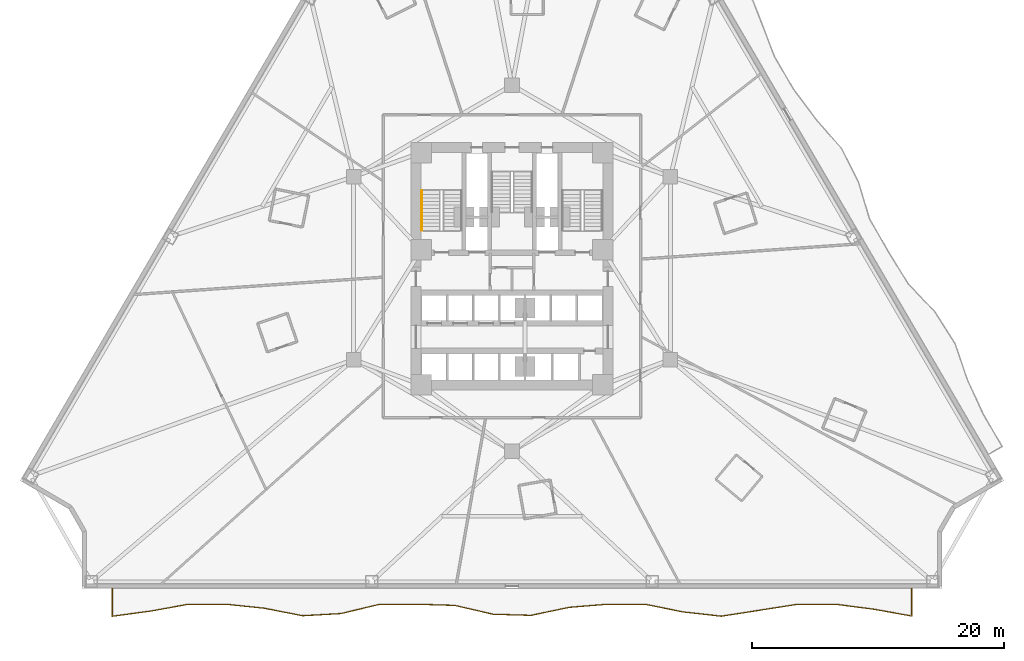
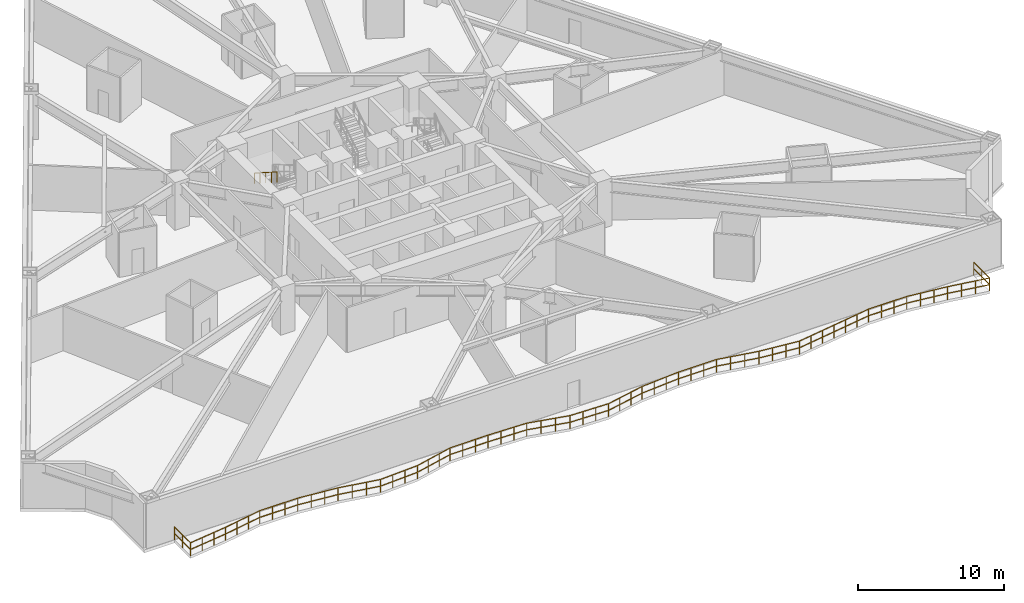
# One storey, part 8 of 10: 2 railings.
"""IFC4 building model written with IfcOpenShell, lengths in metres."""

from ifc_helpers import new_model, si_unit, direction, frame, origin, origin_2d, place, context, subcontext, project, spatial, rectangle, extrude, material, type_object, element, save


model = new_model("IFC4")

# Units and contexts
model_context = context("Model", 3, precision=1e-05, world=origin(), true_north=direction((0.0, 1.0)))
body_context = subcontext(model_context, "Body", "Model", "MODEL_VIEW")
ifc_project = project(units=[si_unit("LENGTHUNIT", "METRE"), si_unit("AREAUNIT", "SQUARE_METRE"), si_unit("VOLUMEUNIT", "CUBIC_METRE"), si_unit("PLANEANGLEUNIT", "RADIAN"), si_unit("MASSUNIT", "GRAM", prefix="KILO")], contexts=[model_context])

# Site, building, storey
site_placement = place(None, origin())
site = spatial("IfcSite", under=ifc_project, at=site_placement, CompositionType="ELEMENT")
building_placement = place(site_placement, origin())
building = spatial("IfcBuilding", under=site, at=building_placement, Name="Apsidion Concourse Tower", CompositionType="ELEMENT")
storey_placement = place(building_placement, frame((0.0, 0.0, 38.39990234375)))
storey = spatial("IfcBuildingStorey", under=building, at=storey_placement, Name="L07", CompositionType="ELEMENT", Elevation=38.39990234375)

# Railings
ifc_material = material(Name="Brushed stainless steel 316", Category="steel")
railing_type_1 = type_object("IfcRailingType", Name="RL-BAL-1120", PredefinedType="BALUSTRADE", material=ifc_material)
railing_1_placement = place(storey_placement, frame((31.68798828125, -25.39990234375, 0.0)))
element("IfcRailing", 1, at=railing_1_placement, inside=storey, type_object=railing_type_1, Name="L07 Face 2 Rippling Balcony Balustrade", PredefinedType="BALUSTRADE", context=body_context, shape_type="SweptSolid", body=[
    extrude(rectangle(XDim=0.048095703125, YDim=0.048095703125, at=origin_2d()), frame((0.0, 0.0, 1.09619140625), z_axis=(0.0, -1.0, 0.0), x_axis=(1.0, 0.0, 0.0)), (0.0, 0.0, 1.0), 2.1806640625),
    extrude(rectangle(XDim=0.048095703125, YDim=0.048095703125, at=origin_2d()), frame((0.0, 0.0, 0.5361328125), z_axis=(0.0, -1.0, 0.0), x_axis=(1.0, 0.0, 0.0)), (0.0, 0.0, 1.0), 2.1806640625),
    extrude(rectangle(XDim=0.048095703125, YDim=0.048095703125, at=origin_2d()), frame((0.0, -2.1806640625, 1.09619140625), z_axis=(-0.984404433594, 0.17592018395, 0.0), x_axis=(-0.17592018395, -0.984404433594, 0.0)), (0.0, 0.0, 1.0), 3.065673828125),
    extrude(rectangle(XDim=0.048095703125, YDim=0.048095703125, at=origin_2d()), frame((0.0, -2.1806640625, 0.5361328125), z_axis=(-0.984404433594, 0.17592018395, 0.0), x_axis=(-0.17592018395, -0.984404433594, 0.0)), (0.0, 0.0, 1.0), 3.065673828125),
    extrude(rectangle(XDim=0.048095703125, YDim=0.048095703125, at=origin_2d()), frame((-3.017822265625, -1.641357421875, 1.09619140625), z_axis=(-0.991695876065, 0.128605168622, 0.0), x_axis=(-0.128605168622, -0.991695876065, 0.0)), (0.0, 0.0, 1.0), 3.043212890625),
    extrude(rectangle(XDim=0.048095703125, YDim=0.048095703125, at=origin_2d()), frame((-3.017822265625, -1.641357421875, 0.5361328125), z_axis=(-0.991695876065, 0.128605168622, 0.0), x_axis=(-0.128605168622, -0.991695876065, 0.0)), (0.0, 0.0, 1.0), 3.043212890625),
    extrude(rectangle(XDim=0.048095703125, YDim=0.048095703125, at=origin_2d()), frame((-6.03564453125, -1.25, 1.09619140625), z_axis=(-1.0, 0.0, 0.0), x_axis=(0.0, -1.0, 0.0)), (0.0, 0.0, 1.0), 3.017822265625),
    extrude(rectangle(XDim=0.048095703125, YDim=0.048095703125, at=origin_2d()), frame((-6.03564453125, -1.25, 0.5361328125), z_axis=(-1.0, 0.0, 0.0), x_axis=(0.0, -1.0, 0.0)), (0.0, 0.0, 1.0), 3.017822265625),
    extrude(rectangle(XDim=0.048095703125, YDim=0.048095703125, at=origin_2d()), frame((-9.053466796875, -1.25, 1.09619140625), z_axis=(-0.987823146591, -0.155580946968, 0.0), x_axis=(0.155580946968, -0.987823146591, 0.0)), (0.0, 0.0, 1.0), 3.05517578125),
    extrude(rectangle(XDim=0.048095703125, YDim=0.048095703125, at=origin_2d()), frame((-9.053466796875, -1.25, 0.5361328125), z_axis=(-0.987823146591, -0.155580946968, 0.0), x_axis=(0.155580946968, -0.987823146591, 0.0)), (0.0, 0.0, 1.0), 3.05517578125),
    extrude(rectangle(XDim=0.048095703125, YDim=0.048095703125, at=origin_2d()), frame((-12.071533203125, -1.725341796875, 1.09619140625), z_axis=(-0.988055424864, -0.154098920817, 0.0), x_axis=(0.154098920817, -0.988055424864, 0.0)), (0.0, 0.0, 1.0), 3.054443359375),
    extrude(rectangle(XDim=0.048095703125, YDim=0.048095703125, at=origin_2d()), frame((-12.071533203125, -1.725341796875, 0.5361328125), z_axis=(-0.988055424864, -0.154098920817, 0.0), x_axis=(0.154098920817, -0.988055424864, 0.0)), (0.0, 0.0, 1.0), 3.054443359375),
    extrude(rectangle(XDim=0.048095703125, YDim=0.048095703125, at=origin_2d()), frame((-15.089599609375, -2.196044921875, 1.09619140625), z_axis=(-0.993878830987, 0.110475650334, 0.0), x_axis=(-0.110475650334, -0.993878830987, 0.0)), (0.0, 0.0, 1.0), 3.036376953125),
    extrude(rectangle(XDim=0.048095703125, YDim=0.048095703125, at=origin_2d()), frame((-15.089599609375, -2.196044921875, 0.5361328125), z_axis=(-0.993878830987, 0.110475650334, 0.0), x_axis=(-0.110475650334, -0.993878830987, 0.0)), (0.0, 0.0, 1.0), 3.036376953125),
    extrude(rectangle(XDim=0.048095703125, YDim=0.048095703125, at=origin_2d()), frame((-18.107421875, -1.860595703125, 1.09619140625), z_axis=(-0.980139056709, 0.198311445743, 0.0), x_axis=(-0.198311445743, -0.980139056709, 0.0)), (0.0, 0.0, 1.0), 3.078857421875),
    extrude(rectangle(XDim=0.048095703125, YDim=0.048095703125, at=origin_2d()), frame((-18.107421875, -1.860595703125, 0.5361328125), z_axis=(-0.980139056709, 0.198311445743, 0.0), x_axis=(-0.198311445743, -0.980139056709, 0.0)), (0.0, 0.0, 1.0), 3.078857421875),
    extrude(rectangle(XDim=0.048095703125, YDim=0.048095703125, at=origin_2d()), frame((-21.125244140625, -1.25, 1.09619140625), z_axis=(-1.0, 0.0, 0.0), x_axis=(0.0, -1.0, 0.0)), (0.0, 0.0, 1.0), 3.017822265625),
    extrude(rectangle(XDim=0.048095703125, YDim=0.048095703125, at=origin_2d()), frame((-21.125244140625, -1.25, 0.5361328125), z_axis=(-1.0, 0.0, 0.0), x_axis=(0.0, -1.0, 0.0)), (0.0, 0.0, 1.0), 3.017822265625),
    extrude(rectangle(XDim=0.048095703125, YDim=0.048095703125, at=origin_2d()), frame((-24.14306640625, -1.25, 1.09619140625), z_axis=(-0.996711647543, -0.081030189757, 0.0), x_axis=(0.081030189757, -0.996711647543, 0.0)), (0.0, 0.0, 1.0), 3.028076171875),
    extrude(rectangle(XDim=0.048095703125, YDim=0.048095703125, at=origin_2d()), frame((-24.14306640625, -1.25, 0.5361328125), z_axis=(-0.996711647543, -0.081030189757, 0.0), x_axis=(0.081030189757, -0.996711647543, 0.0)), (0.0, 0.0, 1.0), 3.028076171875),
    extrude(rectangle(XDim=0.048095703125, YDim=0.048095703125, at=origin_2d()), frame((-27.1611328125, -1.495361328125, 1.09619140625), z_axis=(-0.978618610166, -0.205683290123, 0.0), x_axis=(0.205683290123, -0.978618610166, 0.0)), (0.0, 0.0, 1.0), 3.083740234375),
    extrude(rectangle(XDim=0.048095703125, YDim=0.048095703125, at=origin_2d()), frame((-27.1611328125, -1.495361328125, 0.5361328125), z_axis=(-0.978618610166, -0.205683290123, 0.0), x_axis=(0.205683290123, -0.978618610166, 0.0)), (0.0, 0.0, 1.0), 3.083740234375),
    extrude(rectangle(XDim=0.048095703125, YDim=0.048095703125, at=origin_2d()), frame((-30.178955078125, -2.129638671875, 1.09619140625), z_axis=(-0.999569151056, 0.029351529027, 0.0), x_axis=(-0.029351529027, -0.999569151056, 0.0)), (0.0, 0.0, 1.0), 3.019287109375),
    extrude(rectangle(XDim=0.048095703125, YDim=0.048095703125, at=origin_2d()), frame((-30.178955078125, -2.129638671875, 0.5361328125), z_axis=(-0.999569151056, 0.029351529027, 0.0), x_axis=(-0.029351529027, -0.999569151056, 0.0)), (0.0, 0.0, 1.0), 3.019287109375),
    extrude(rectangle(XDim=0.048095703125, YDim=0.048095703125, at=origin_2d()), frame((-33.197021484375, -2.041015625, 1.09619140625), z_axis=(-0.974054098549, 0.226315295772, 0.0), x_axis=(-0.226315295772, -0.974054098549, 0.0)), (0.0, 0.0, 1.0), 3.09814453125),
    extrude(rectangle(XDim=0.048095703125, YDim=0.048095703125, at=origin_2d()), frame((-33.197021484375, -2.041015625, 0.5361328125), z_axis=(-0.974054098549, 0.226315295772, 0.0), x_axis=(-0.226315295772, -0.974054098549, 0.0)), (0.0, 0.0, 1.0), 3.09814453125),
    extrude(rectangle(XDim=0.048095703125, YDim=0.048095703125, at=origin_2d()), frame((-36.21484375, -1.33984375, 1.09619140625), z_axis=(-0.999557208133, 0.029755464536, 0.0), x_axis=(-0.029755464536, -0.999557208133, 0.0)), (0.0, 0.0, 1.0), 3.019287109375),
    extrude(rectangle(XDim=0.048095703125, YDim=0.048095703125, at=origin_2d()), frame((-36.21484375, -1.33984375, 0.5361328125), z_axis=(-0.999557208133, 0.029755464536, 0.0), x_axis=(-0.029755464536, -0.999557208133, 0.0)), (0.0, 0.0, 1.0), 3.019287109375),
    extrude(rectangle(XDim=0.048095703125, YDim=0.048095703125, at=origin_2d()), frame((-39.23291015625, -1.25, 1.09619140625), z_axis=(-0.999972902581, -0.007361664439, 0.0), x_axis=(0.007361664439, -0.999972902581, 0.0)), (0.0, 0.0, 1.0), 3.017822265625),
    extrude(rectangle(XDim=0.048095703125, YDim=0.048095703125, at=origin_2d()), frame((-39.23291015625, -1.25, 0.5361328125), z_axis=(-0.999972902581, -0.007361664439, 0.0), x_axis=(0.007361664439, -0.999972902581, 0.0)), (0.0, 0.0, 1.0), 3.017822265625),
    extrude(rectangle(XDim=0.048095703125, YDim=0.048095703125, at=origin_2d()), frame((-42.250732421875, -1.272216796875, 1.09619140625), z_axis=(-0.97286107755, -0.23138998204, 0.0), x_axis=(0.23138998204, -0.97286107755, 0.0)), (0.0, 0.0, 1.0), 3.10205078125),
    extrude(rectangle(XDim=0.048095703125, YDim=0.048095703125, at=origin_2d()), frame((-42.250732421875, -1.272216796875, 0.5361328125), z_axis=(-0.97286107755, -0.23138998204, 0.0), x_axis=(0.23138998204, -0.97286107755, 0.0)), (0.0, 0.0, 1.0), 3.10205078125),
    extrude(rectangle(XDim=0.048095703125, YDim=0.048095703125, at=origin_2d()), frame((-45.2685546875, -1.989990234375, 1.09619140625), z_axis=(-0.99843665215, -0.055895005524, 0.0), x_axis=(0.055895005524, -0.99843665215, 0.0)), (0.0, 0.0, 1.0), 3.0224609375),
    extrude(rectangle(XDim=0.048095703125, YDim=0.048095703125, at=origin_2d()), frame((-45.2685546875, -1.989990234375, 0.5361328125), z_axis=(-0.99843665215, -0.055895005524, 0.0), x_axis=(0.055895005524, -0.99843665215, 0.0)), (0.0, 0.0, 1.0), 3.0224609375),
    extrude(rectangle(XDim=0.048095703125, YDim=0.048095703125, at=origin_2d()), frame((-48.286376953125, -2.158935546875, 1.09619140625), z_axis=(-0.981387451136, 0.192038201286, 0.0), x_axis=(-0.192038201286, -0.981387451136, 0.0)), (0.0, 0.0, 1.0), 3.0751953125),
    extrude(rectangle(XDim=0.048095703125, YDim=0.048095703125, at=origin_2d()), frame((-48.286376953125, -2.158935546875, 0.5361328125), z_axis=(-0.981387451136, 0.192038201286, 0.0), x_axis=(-0.192038201286, -0.981387451136, 0.0)), (0.0, 0.0, 1.0), 3.0751953125),
    extrude(rectangle(XDim=0.048095703125, YDim=0.048095703125, at=origin_2d()), frame((-51.304443359375, -1.568359375, 1.09619140625), z_axis=(-0.994482507273, 0.104902539191, 0.0), x_axis=(-0.104902539191, -0.994482507273, 0.0)), (0.0, 0.0, 1.0), 3.034912109375),
    extrude(rectangle(XDim=0.048095703125, YDim=0.048095703125, at=origin_2d()), frame((-51.304443359375, -1.568359375, 0.5361328125), z_axis=(-0.994482507273, 0.104902539191, 0.0), x_axis=(-0.104902539191, -0.994482507273, 0.0)), (0.0, 0.0, 1.0), 3.034912109375),
    extrude(rectangle(XDim=0.048095703125, YDim=0.048095703125, at=origin_2d()), frame((-54.322509765625, -1.25, 1.09619140625), z_axis=(-1.0, 0.0, 0.0), x_axis=(0.0, -1.0, 0.0)), (0.0, 0.0, 1.0), 3.017822265625),
    extrude(rectangle(XDim=0.048095703125, YDim=0.048095703125, at=origin_2d()), frame((-54.322509765625, -1.25, 0.5361328125), z_axis=(-1.0, 0.0, 0.0), x_axis=(0.0, -1.0, 0.0)), (0.0, 0.0, 1.0), 3.017822265625),
    extrude(rectangle(XDim=0.048095703125, YDim=0.048095703125, at=origin_2d()), frame((-57.34033203125, -1.25, 1.09619140625), z_axis=(-0.98409965294, -0.177617209425, 0.0), x_axis=(0.177617209425, -0.98409965294, 0.0)), (0.0, 0.0, 1.0), 3.066650390625),
    extrude(rectangle(XDim=0.048095703125, YDim=0.048095703125, at=origin_2d()), frame((-57.34033203125, -1.25, 0.5361328125), z_axis=(-0.98409965294, -0.177617209425, 0.0), x_axis=(0.177617209425, -0.98409965294, 0.0)), (0.0, 0.0, 1.0), 3.066650390625),
    extrude(rectangle(XDim=0.048095703125, YDim=0.048095703125, at=origin_2d()), frame((-60.358154296875, -1.794677734375, 1.09619140625), z_axis=(-0.991092233598, -0.133177267212, 0.0), x_axis=(0.133177267212, -0.991092233598, 0.0)), (0.0, 0.0, 1.0), 3.044921875),
    extrude(rectangle(XDim=0.048095703125, YDim=0.048095703125, at=origin_2d()), frame((-60.358154296875, -1.794677734375, 0.5361328125), z_axis=(-0.991092233598, -0.133177267212, 0.0), x_axis=(0.133177267212, -0.991092233598, 0.0)), (0.0, 0.0, 1.0), 3.044921875),
    extrude(rectangle(XDim=0.048095703125, YDim=0.048095703125, at=origin_2d()), frame((-63.3759765625, -2.2001953125, 1.09619140625), z_axis=(0.0, 1.0, 0.0), x_axis=(-1.0, 0.0, 0.0)), (0.0, 0.0, 1.0), 2.2001953125),
    extrude(rectangle(XDim=0.048095703125, YDim=0.048095703125, at=origin_2d()), frame((-63.3759765625, -2.2001953125, 0.5361328125), z_axis=(0.0, 1.0, 0.0), x_axis=(-1.0, 0.0, 0.0)), (0.0, 0.0, 1.0), 2.2001953125),
    extrude(rectangle(XDim=0.0419921875, YDim=0.0419921875, at=origin_2d()), origin(), (0.0, 0.0, 1.0), 1.072021484375),
    extrude(rectangle(XDim=0.0419921875, YDim=0.0419921875, at=origin_2d()), frame((0.0, -1.09033203125, 0.0)), (0.0, 0.0, 1.0), 1.072021484375),
    extrude(rectangle(XDim=0.0419921875, YDim=0.0419921875, at=origin_2d()), frame((0.0, -2.1806640625, 0.0)), (0.0, 0.0, 1.0), 1.072021484375),
    extrude(rectangle(XDim=0.0419921875, YDim=0.0419921875, at=origin_2d()), frame((-1.005859375, -2.0009765625, 0.0)), (0.0, 0.0, 1.0), 1.072021484375),
    extrude(rectangle(XDim=0.0419921875, YDim=0.0419921875, at=origin_2d()), frame((-2.011962890625, -1.821044921875, 0.0)), (0.0, 0.0, 1.0), 1.072021484375),
    extrude(rectangle(XDim=0.0419921875, YDim=0.0419921875, at=origin_2d()), frame((-3.017822265625, -1.641357421875, 0.0)), (0.0, 0.0, 1.0), 1.072021484375),
    extrude(rectangle(XDim=0.0419921875, YDim=0.0419921875, at=origin_2d()), frame((-4.023681640625, -1.510986328125, 0.0)), (0.0, 0.0, 1.0), 1.072021484375),
    extrude(rectangle(XDim=0.0419921875, YDim=0.0419921875, at=origin_2d()), frame((-5.02978515625, -1.38037109375, 0.0)), (0.0, 0.0, 1.0), 1.072021484375),
    extrude(rectangle(XDim=0.0419921875, YDim=0.0419921875, at=origin_2d()), frame((-6.03564453125, -1.25, 0.0)), (0.0, 0.0, 1.0), 1.072021484375),
    extrude(rectangle(XDim=0.0419921875, YDim=0.0419921875, at=origin_2d()), frame((-7.04150390625, -1.25, 0.0)), (0.0, 0.0, 1.0), 1.072021484375),
    extrude(rectangle(XDim=0.0419921875, YDim=0.0419921875, at=origin_2d()), frame((-8.047607421875, -1.25, 0.0)), (0.0, 0.0, 1.0), 1.072021484375),
    extrude(rectangle(XDim=0.0419921875, YDim=0.0419921875, at=origin_2d()), frame((-9.053466796875, -1.25, 0.0)), (0.0, 0.0, 1.0), 1.072021484375),
    extrude(rectangle(XDim=0.0419921875, YDim=0.0419921875, at=origin_2d()), frame((-10.0595703125, -1.408447265625, 0.0)), (0.0, 0.0, 1.0), 1.072021484375),
    extrude(rectangle(XDim=0.0419921875, YDim=0.0419921875, at=origin_2d()), frame((-11.0654296875, -1.56689453125, 0.0)), (0.0, 0.0, 1.0), 1.072021484375),
    extrude(rectangle(XDim=0.0419921875, YDim=0.0419921875, at=origin_2d()), frame((-12.071533203125, -1.725341796875, 0.0)), (0.0, 0.0, 1.0), 1.072021484375),
    extrude(rectangle(XDim=0.0419921875, YDim=0.0419921875, at=origin_2d()), frame((-13.07763671875, -1.88232421875, 0.0)), (0.0, 0.0, 1.0), 1.072021484375),
    extrude(rectangle(XDim=0.0419921875, YDim=0.0419921875, at=origin_2d()), frame((-14.08349609375, -2.0390625, 0.0)), (0.0, 0.0, 1.0), 1.072021484375),
    extrude(rectangle(XDim=0.0419921875, YDim=0.0419921875, at=origin_2d()), frame((-15.089599609375, -2.196044921875, 0.0)), (0.0, 0.0, 1.0), 1.072021484375),
    extrude(rectangle(XDim=0.0419921875, YDim=0.0419921875, at=origin_2d()), frame((-16.095458984375, -2.084228515625, 0.0)), (0.0, 0.0, 1.0), 1.072021484375),
    extrude(rectangle(XDim=0.0419921875, YDim=0.0419921875, at=origin_2d()), frame((-17.1015625, -1.972412109375, 0.0)), (0.0, 0.0, 1.0), 1.072021484375),
    extrude(rectangle(XDim=0.0419921875, YDim=0.0419921875, at=origin_2d()), frame((-18.107421875, -1.860595703125, 0.0)), (0.0, 0.0, 1.0), 1.072021484375),
    extrude(rectangle(XDim=0.0419921875, YDim=0.0419921875, at=origin_2d()), frame((-19.11328125, -1.656982421875, 0.0)), (0.0, 0.0, 1.0), 1.072021484375),
    extrude(rectangle(XDim=0.0419921875, YDim=0.0419921875, at=origin_2d()), frame((-20.119384765625, -1.45361328125, 0.0)), (0.0, 0.0, 1.0), 1.072021484375),
    extrude(rectangle(XDim=0.0419921875, YDim=0.0419921875, at=origin_2d()), frame((-21.125244140625, -1.25, 0.0)), (0.0, 0.0, 1.0), 1.072021484375),
    extrude(rectangle(XDim=0.0419921875, YDim=0.0419921875, at=origin_2d()), frame((-22.131103515625, -1.25, 0.0)), (0.0, 0.0, 1.0), 1.072021484375),
    extrude(rectangle(XDim=0.0419921875, YDim=0.0419921875, at=origin_2d()), frame((-23.13720703125, -1.25, 0.0)), (0.0, 0.0, 1.0), 1.072021484375),
    extrude(rectangle(XDim=0.0419921875, YDim=0.0419921875, at=origin_2d()), frame((-24.14306640625, -1.25, 0.0)), (0.0, 0.0, 1.0), 1.072021484375),
    extrude(rectangle(XDim=0.0419921875, YDim=0.0419921875, at=origin_2d()), frame((-25.149169921875, -1.331787109375, 0.0)), (0.0, 0.0, 1.0), 1.072021484375),
    extrude(rectangle(XDim=0.0419921875, YDim=0.0419921875, at=origin_2d()), frame((-26.155029296875, -1.41357421875, 0.0)), (0.0, 0.0, 1.0), 1.072021484375),
    extrude(rectangle(XDim=0.0419921875, YDim=0.0419921875, at=origin_2d()), frame((-27.1611328125, -1.495361328125, 0.0)), (0.0, 0.0, 1.0), 1.072021484375),
    extrude(rectangle(XDim=0.0419921875, YDim=0.0419921875, at=origin_2d()), frame((-28.1669921875, -1.706787109375, 0.0)), (0.0, 0.0, 1.0), 1.072021484375),
    extrude(rectangle(XDim=0.0419921875, YDim=0.0419921875, at=origin_2d()), frame((-29.173095703125, -1.918212890625, 0.0)), (0.0, 0.0, 1.0), 1.072021484375),
    extrude(rectangle(XDim=0.0419921875, YDim=0.0419921875, at=origin_2d()), frame((-30.178955078125, -2.129638671875, 0.0)), (0.0, 0.0, 1.0), 1.072021484375),
    extrude(rectangle(XDim=0.0419921875, YDim=0.0419921875, at=origin_2d()), frame((-31.18505859375, -2.10009765625, 0.0)), (0.0, 0.0, 1.0), 1.072021484375),
    extrude(rectangle(XDim=0.0419921875, YDim=0.0419921875, at=origin_2d()), frame((-32.19091796875, -2.070556640625, 0.0)), (0.0, 0.0, 1.0), 1.072021484375),
    extrude(rectangle(XDim=0.0419921875, YDim=0.0419921875, at=origin_2d()), frame((-33.197021484375, -2.041015625, 0.0)), (0.0, 0.0, 1.0), 1.072021484375),
    extrude(rectangle(XDim=0.0419921875, YDim=0.0419921875, at=origin_2d()), frame((-34.202880859375, -1.807373046875, 0.0)), (0.0, 0.0, 1.0), 1.072021484375),
    extrude(rectangle(XDim=0.0419921875, YDim=0.0419921875, at=origin_2d()), frame((-35.208984375, -1.573486328125, 0.0)), (0.0, 0.0, 1.0), 1.072021484375),
    extrude(rectangle(XDim=0.0419921875, YDim=0.0419921875, at=origin_2d()), frame((-36.21484375, -1.33984375, 0.0)), (0.0, 0.0, 1.0), 1.072021484375),
    extrude(rectangle(XDim=0.0419921875, YDim=0.0419921875, at=origin_2d()), frame((-37.220947265625, -1.309814453125, 0.0)), (0.0, 0.0, 1.0), 1.072021484375),
    extrude(rectangle(XDim=0.0419921875, YDim=0.0419921875, at=origin_2d()), frame((-38.226806640625, -1.280029296875, 0.0)), (0.0, 0.0, 1.0), 1.072021484375),
    extrude(rectangle(XDim=0.0419921875, YDim=0.0419921875, at=origin_2d()), frame((-39.23291015625, -1.25, 0.0)), (0.0, 0.0, 1.0), 1.072021484375),
    extrude(rectangle(XDim=0.0419921875, YDim=0.0419921875, at=origin_2d()), frame((-40.23876953125, -1.25732421875, 0.0)), (0.0, 0.0, 1.0), 1.072021484375),
    extrude(rectangle(XDim=0.0419921875, YDim=0.0419921875, at=origin_2d()), frame((-41.244873046875, -1.264892578125, 0.0)), (0.0, 0.0, 1.0), 1.072021484375),
    extrude(rectangle(XDim=0.0419921875, YDim=0.0419921875, at=origin_2d()), frame((-42.250732421875, -1.272216796875, 0.0)), (0.0, 0.0, 1.0), 1.072021484375),
    extrude(rectangle(XDim=0.0419921875, YDim=0.0419921875, at=origin_2d()), frame((-43.256591796875, -1.511474609375, 0.0)), (0.0, 0.0, 1.0), 1.072021484375),
    extrude(rectangle(XDim=0.0419921875, YDim=0.0419921875, at=origin_2d()), frame((-44.2626953125, -1.750732421875, 0.0)), (0.0, 0.0, 1.0), 1.072021484375),
    extrude(rectangle(XDim=0.0419921875, YDim=0.0419921875, at=origin_2d()), frame((-45.2685546875, -1.989990234375, 0.0)), (0.0, 0.0, 1.0), 1.072021484375),
    extrude(rectangle(XDim=0.0419921875, YDim=0.0419921875, at=origin_2d()), frame((-46.2744140625, -2.04638671875, 0.0)), (0.0, 0.0, 1.0), 1.072021484375),
    extrude(rectangle(XDim=0.0419921875, YDim=0.0419921875, at=origin_2d()), frame((-47.280517578125, -2.1025390625, 0.0)), (0.0, 0.0, 1.0), 1.072021484375),
    extrude(rectangle(XDim=0.0419921875, YDim=0.0419921875, at=origin_2d()), frame((-48.286376953125, -2.158935546875, 0.0)), (0.0, 0.0, 1.0), 1.072021484375),
    extrude(rectangle(XDim=0.0419921875, YDim=0.0419921875, at=origin_2d()), frame((-49.29248046875, -1.962158203125, 0.0)), (0.0, 0.0, 1.0), 1.072021484375),
    extrude(rectangle(XDim=0.0419921875, YDim=0.0419921875, at=origin_2d()), frame((-50.29833984375, -1.76513671875, 0.0)), (0.0, 0.0, 1.0), 1.072021484375),
    extrude(rectangle(XDim=0.0419921875, YDim=0.0419921875, at=origin_2d()), frame((-51.304443359375, -1.568359375, 0.0)), (0.0, 0.0, 1.0), 1.072021484375),
    extrude(rectangle(XDim=0.0419921875, YDim=0.0419921875, at=origin_2d()), frame((-52.310546875, -1.462158203125, 0.0)), (0.0, 0.0, 1.0), 1.072021484375),
    extrude(rectangle(XDim=0.0419921875, YDim=0.0419921875, at=origin_2d()), frame((-53.31640625, -1.356201171875, 0.0)), (0.0, 0.0, 1.0), 1.072021484375),
    extrude(rectangle(XDim=0.0419921875, YDim=0.0419921875, at=origin_2d()), frame((-54.322509765625, -1.25, 0.0)), (0.0, 0.0, 1.0), 1.072021484375),
    extrude(rectangle(XDim=0.0419921875, YDim=0.0419921875, at=origin_2d()), frame((-55.328369140625, -1.25, 0.0)), (0.0, 0.0, 1.0), 1.072021484375),
    extrude(rectangle(XDim=0.0419921875, YDim=0.0419921875, at=origin_2d()), frame((-56.33447265625, -1.25, 0.0)), (0.0, 0.0, 1.0), 1.072021484375),
    extrude(rectangle(XDim=0.0419921875, YDim=0.0419921875, at=origin_2d()), frame((-57.34033203125, -1.25, 0.0)), (0.0, 0.0, 1.0), 1.072021484375),
    extrude(rectangle(XDim=0.0419921875, YDim=0.0419921875, at=origin_2d()), frame((-58.34619140625, -1.431640625, 0.0)), (0.0, 0.0, 1.0), 1.072021484375),
    extrude(rectangle(XDim=0.0419921875, YDim=0.0419921875, at=origin_2d()), frame((-59.352294921875, -1.613037109375, 0.0)), (0.0, 0.0, 1.0), 1.072021484375),
    extrude(rectangle(XDim=0.0419921875, YDim=0.0419921875, at=origin_2d()), frame((-60.358154296875, -1.794677734375, 0.0)), (0.0, 0.0, 1.0), 1.072021484375),
    extrude(rectangle(XDim=0.0419921875, YDim=0.0419921875, at=origin_2d()), frame((-61.364013671875, -1.929931640625, 0.0)), (0.0, 0.0, 1.0), 1.072021484375),
    extrude(rectangle(XDim=0.0419921875, YDim=0.0419921875, at=origin_2d()), frame((-62.3701171875, -2.06494140625, 0.0)), (0.0, 0.0, 1.0), 1.072021484375),
    extrude(rectangle(XDim=0.0419921875, YDim=0.0419921875, at=origin_2d()), frame((-63.3759765625, -2.2001953125, 0.0)), (0.0, 0.0, 1.0), 1.072021484375),
    extrude(rectangle(XDim=0.0419921875, YDim=0.0419921875, at=origin_2d()), frame((-63.3759765625, -1.10009765625, 0.0)), (0.0, 0.0, 1.0), 1.072021484375),
    extrude(rectangle(XDim=0.0419921875, YDim=0.0419921875, at=origin_2d()), frame((-63.3759765625, 0.0, 0.0)), (0.0, 0.0, 1.0), 1.072021484375),
])
railing_type_2 = type_object("IfcRailingType", Name="RL-HAND-900", PredefinedType="HANDRAIL", material=ifc_material)
railing_2_placement = place(storey_placement, frame((-7.14990234375, 6.135009765625, 2.166748046875)))
element("IfcRailing", 2, at=railing_2_placement, inside=storey, type_object=railing_type_2, Name="L07 ST1 stair handrail 2", PredefinedType="HANDRAIL", context=body_context, shape_type="SweptSolid", body=[
    extrude(rectangle(XDim=0.048095703125, YDim=0.048095703125, at=origin_2d()), frame((0.0, 0.0, 0.8759765625), z_axis=(0.0, -0.843052688722, 0.537830980921), x_axis=(1.0, 0.0, 0.0)), (0.0, 0.0, 1.0), 3.71875),
    extrude(rectangle(XDim=0.0419921875, YDim=0.0419921875, at=origin_2d()), origin(), (0.0, 0.0, 1.0), 0.851806640625),
    extrude(rectangle(XDim=0.0419921875, YDim=0.0419921875, at=origin_2d()), frame((0.0, -0.78369140625, 0.5)), (0.0, 0.0, 1.0), 0.851806640625),
    extrude(rectangle(XDim=0.0419921875, YDim=0.0419921875, at=origin_2d()), frame((0.0, -1.5673828125, 1.0)), (0.0, 0.0, 1.0), 0.851806640625),
    extrude(rectangle(XDim=0.0419921875, YDim=0.0419921875, at=origin_2d()), frame((0.0, -2.351318359375, 1.5)), (0.0, 0.0, 1.0), 0.851806640625),
    extrude(rectangle(XDim=0.0419921875, YDim=0.0419921875, at=origin_2d()), frame((0.0, -3.135009765625, 2.0)), (0.0, 0.0, 1.0), 0.851806640625),
])

save(model, "model.ifc")
